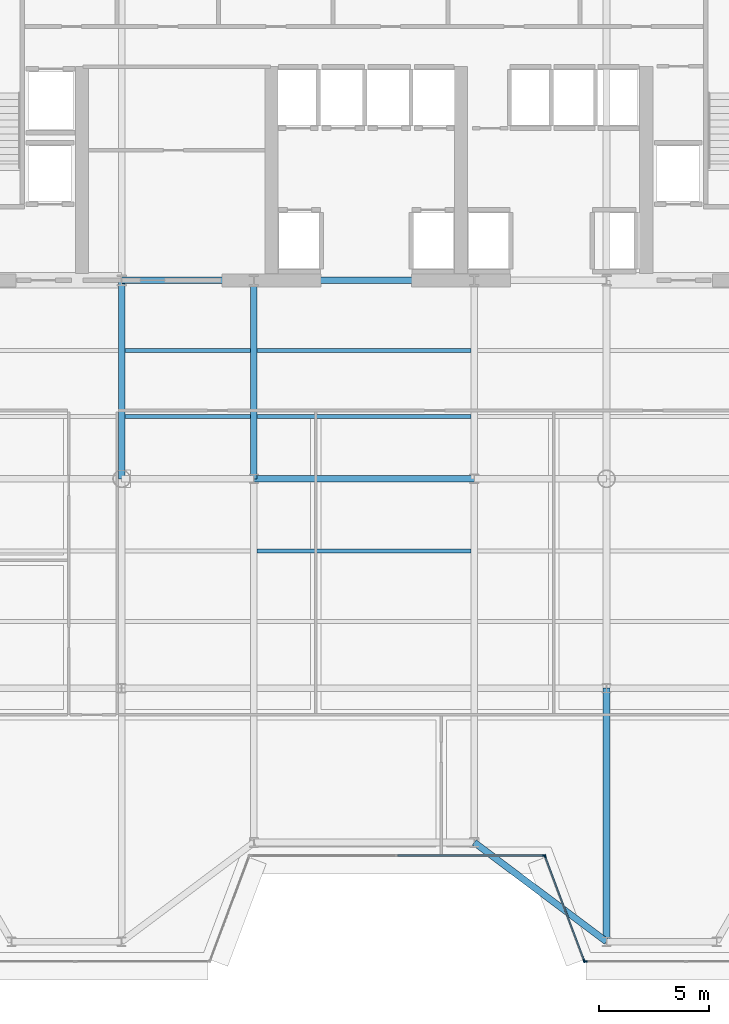
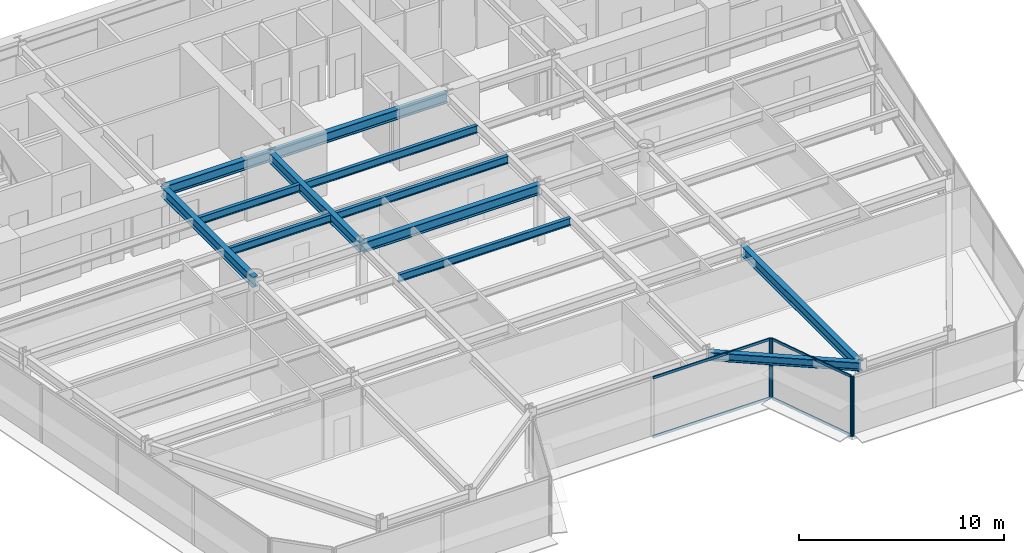
# One storey, part 5 of 16: 12 beams, 8 members, 3 elements without a shape of their own.
"""IFC4 building model written with IfcOpenShell, lengths in metres."""

from ifc_helpers import new_model, si_unit, direction, frame, origin, origin_2d, place, context, subcontext, project, spatial, rectangle, i_section, extrude, source, transform, mapped, material, layer, layer_set, material_profile, profile_set, type_object, element, aggregate, save


model = new_model("IFC4")

# Units and contexts
model_context = context("Model", 3, precision=1e-05, world=origin(), true_north=direction((0.0, 1.0)))
body_context = subcontext(model_context, "Body", "Model", "MODEL_VIEW")
ifc_project = project(units=[si_unit("LENGTHUNIT", "METRE"), si_unit("AREAUNIT", "SQUARE_METRE"), si_unit("VOLUMEUNIT", "CUBIC_METRE"), si_unit("PLANEANGLEUNIT", "RADIAN"), si_unit("MASSUNIT", "GRAM", prefix="KILO")], contexts=[model_context])

# Site, building, storey
site_placement = place(None, origin())
site = spatial("IfcSite", under=ifc_project, at=site_placement, CompositionType="ELEMENT")
building_placement = place(site_placement, origin())
building = spatial("IfcBuilding", under=site, at=building_placement, Name="Vaeldorn Concourse Tower", CompositionType="ELEMENT")
storey_placement = place(building_placement, frame((0.0, 0.0, 188.0)))
storey = spatial("IfcBuildingStorey", under=building, at=storey_placement, Name="L48", CompositionType="ELEMENT", Elevation=188.0)

# Beams
ifc_material_1 = material(Name="Steel S355", Category="steel")
ifc_material_profile_1 = material_profile(ifc_material_1, i_section(OverallWidth=0.300048828125, OverallDepth=0.5, WebThickness=0.014404296875, FlangeThickness=0.028076171875, FilletRadius=0.027099609375, at=origin_2d()), Name="HEB 500")
ifc_profile_set_1 = profile_set([ifc_material_profile_1], Name="Steel S355")
beam_type_1 = type_object("IfcBeamType", Name="BM-SP-HEB500", PredefinedType="SPANDREL", material=ifc_profile_set_1)
shared_shape_1 = source(origin(), body_context, "Body", "SweptSolid", [
    extrude(i_section(OverallWidth=0.300048828125, OverallDepth=0.5, WebThickness=0.014404296875, FlangeThickness=0.028076171875, FilletRadius=0.027099609375, at=origin_2d()), origin(), (0.0, 0.0, 1.0), 7.5),
])
beam_1_placement = place(storey_placement, frame((39.0, 11.0, 3.330078125), z_axis=(0.8, -0.6, 0.0), x_axis=(0.6, 0.8, 0.0)))
element("IfcBeam", 1, at=beam_1_placement, inside=storey, type_object=beam_type_1, Name="Beam BM-L48-C-SF4-C-SF5", PredefinedType="SPANDREL", context=body_context, shape_type="MappedRepresentation", body=[
    mapped(shared_shape_1, transform((0.0, 0.0, 0.0), scale=1.0)),
])
ifc_material_profile_2 = material_profile(ifc_material_1, i_section(OverallWidth=0.18994140625, OverallDepth=0.449951171875, WebThickness=0.009521484375, FlangeThickness=0.0146484375, FilletRadius=0.02099609375, at=origin_2d()), Name="IPE 450")
ifc_profile_set_2 = profile_set([ifc_material_profile_2], Name="Steel S355")
beam_type_2 = type_object("IfcBeamType", Name="BM-JS-IPE450", PredefinedType="JOIST", material=ifc_profile_set_2)
shared_shape_2 = source(origin(), body_context, "Body", "SweptSolid", [
    extrude(i_section(OverallWidth=0.18994140625, OverallDepth=0.449951171875, WebThickness=0.009521484375, FlangeThickness=0.0146484375, FilletRadius=0.02099609375, at=origin_2d()), origin(), (0.0, 0.0, 1.0), 5.7001953125),
])
for number, where, z_axis, x_axis, name in (
    (2, (23.14990234375, 30.320068359375, 3.35498046875), (1.0, 0.0, 0.0), (0.0, 1.0, 0.0), "Beam JS-L48-W2-303"),
    (3, (23.14990234375, 33.320068359375, 3.35498046875), (1.0, 0.0, 0.0), (0.0, 1.0, 0.0), "Beam JS-L48-W2-333"),
):
    element("IfcBeam", number, at=place(storey_placement, frame(where, z_axis=z_axis, x_axis=x_axis)), inside=storey, type_object=beam_type_2, Name=name, PredefinedType="JOIST", context=body_context, shape_type="MappedRepresentation", body=[
        mapped(shared_shape_2, transform((0.0, 0.0, 0.0), scale=1.0)),
    ])
shared_shape_3 = source(origin(), body_context, "Body", "SweptSolid", [
    extrude(i_section(OverallWidth=0.18994140625, OverallDepth=0.449951171875, WebThickness=0.009521484375, FlangeThickness=0.0146484375, FilletRadius=0.02099609375, at=origin_2d()), origin(), (0.0, 0.0, 1.0), 9.7001953125),
])
for number, where, z_axis, x_axis, name in (
    (4, (29.14990234375, 24.219970703125, 3.35498046875), (1.0, 0.0, 0.0), (0.0, 1.0, 0.0), "Beam JS-L48-C-242"),
    (5, (29.14990234375, 30.320068359375, 3.35498046875), (1.0, 0.0, 0.0), (0.0, 1.0, 0.0), "Beam JS-L48-C-303"),
    (6, (29.14990234375, 33.320068359375, 3.35498046875), (1.0, 0.0, 0.0), (0.0, 1.0, 0.0), "Beam JS-L48-C-333"),
):
    element("IfcBeam", number, at=place(storey_placement, frame(where, z_axis=z_axis, x_axis=x_axis)), inside=storey, type_object=beam_type_2, Name=name, PredefinedType="JOIST", context=body_context, shape_type="MappedRepresentation", body=[
        mapped(shared_shape_3, transform((0.0, 0.0, 0.0), scale=1.0)),
    ])
ifc_material_profile_3 = material_profile(ifc_material_1, i_section(OverallWidth=0.300048828125, OverallDepth=0.60009765625, WebThickness=0.015380859375, FlangeThickness=0.030029296875, FilletRadius=0.027099609375, at=origin_2d()), Name="HEB 600")
ifc_profile_set_3 = profile_set([ifc_material_profile_3], Name="Steel S355")
beam_type_3 = type_object("IfcBeamType", Name="BM-PG-HEB600", PredefinedType="BEAM", material=ifc_profile_set_3)
shared_shape_4 = source(origin(), body_context, "Body", "SweptSolid", [
    extrude(i_section(OverallWidth=0.300048828125, OverallDepth=0.60009765625, WebThickness=0.015380859375, FlangeThickness=0.030029296875, FilletRadius=0.027099609375, at=origin_2d()), origin(), (0.0, 0.0, 1.0), 6.0),
])
beam_2_placement = place(storey_placement, frame((23.0, 36.5, 3.280029296875), z_axis=(1.0, 0.0, 0.0), x_axis=(0.0, 1.0, 0.0)))
element("IfcBeam", 7, at=beam_2_placement, inside=storey, type_object=beam_type_3, Name="Beam BM-L48-C-FC2-C-FC3", PredefinedType="BEAM", context=body_context, shape_type="MappedRepresentation", body=[
    mapped(shared_shape_4, transform((0.0, 0.0, 0.0), scale=1.0)),
])
shared_shape_5 = source(origin(), body_context, "Body", "SweptSolid", [
    extrude(i_section(OverallWidth=0.300048828125, OverallDepth=0.60009765625, WebThickness=0.015380859375, FlangeThickness=0.030029296875, FilletRadius=0.027099609375, at=origin_2d()), origin(), (0.0, 0.0, 1.0), 10.0),
])
for number, where, z_axis, x_axis, name in (
    (8, (29.0, 36.5, 3.280029296875), (1.0, 0.0, 0.0), (0.0, 1.0, 0.0), "Beam BM-L48-C-FC3-C-FC4"),
    (9, (29.0, 27.5, 3.280029296875), (1.0, 0.0, 0.0), (0.0, 1.0, 0.0), "Beam BM-L48-C-TW2-C-TW3"),
):
    element("IfcBeam", number, at=place(storey_placement, frame(where, z_axis=z_axis, x_axis=x_axis)), inside=storey, type_object=beam_type_3, Name=name, PredefinedType="BEAM", context=body_context, shape_type="MappedRepresentation", body=[
        mapped(shared_shape_5, transform((0.0, 0.0, 0.0), scale=1.0)),
    ])
shared_shape_6 = source(origin(), body_context, "Body", "SweptSolid", [
    extrude(i_section(OverallWidth=0.300048828125, OverallDepth=0.60009765625, WebThickness=0.015380859375, FlangeThickness=0.030029296875, FilletRadius=0.027099609375, at=origin_2d()), origin(), (0.0, 0.0, 1.0), 9.0),
])
for number, where, z_axis, x_axis, name in (
    (10, (23.0, 27.5, 3.280029296875), (0.0, 1.0, 0.0), (-1.0, 0.0, 0.0), "Beam BM-L48-C-TW1-C-FC2"),
    (11, (29.0, 27.5, 3.280029296875), (0.0, 1.0, 0.0), (-1.0, 0.0, 0.0), "Beam BM-L48-C-TW2-C-FC3"),
):
    element("IfcBeam", number, at=place(storey_placement, frame(where, z_axis=z_axis, x_axis=x_axis)), inside=storey, type_object=beam_type_3, Name=name, PredefinedType="BEAM", context=body_context, shape_type="MappedRepresentation", body=[
        mapped(shared_shape_6, transform((0.0, 0.0, 0.0), scale=1.0)),
    ])
shared_shape_7 = source(origin(), body_context, "Body", "SweptSolid", [
    extrude(i_section(OverallWidth=0.300048828125, OverallDepth=0.60009765625, WebThickness=0.015380859375, FlangeThickness=0.030029296875, FilletRadius=0.027099609375, at=origin_2d()), origin(), (0.0, 0.0, 1.0), 11.5),
])
beam_3_placement = place(storey_placement, frame((45.0, 6.5, 3.280029296875), z_axis=(0.0, 1.0, 0.0), x_axis=(-1.0, 0.0, 0.0)))
element("IfcBeam", 12, at=beam_3_placement, inside=storey, type_object=beam_type_3, Name="Beam BM-L48-C-SF5-C-TW6", PredefinedType="BEAM", context=body_context, shape_type="MappedRepresentation", body=[
    mapped(shared_shape_7, transform((0.0, 0.0, 0.0), scale=1.0)),
])

# Curtain wall, members
ifc_material_2 = material(Name="Anodised Bronze Aluminium", Category="aluminium")
ifc_layer = layer(ifc_material_2, 0.18994140625)
ifc_layer_set = layer_set([ifc_layer], Name="Anodised Bronze Aluminium")
curtain_wall_type = type_object("IfcCurtainWallType", Name="CW-SYS-03", PredefinedType="NOTDEFINED", material=ifc_layer_set)
curtain_wall_1_placement = place(storey_placement, origin())
curtain_wall_1 = element("IfcCurtainWall", 13, at=curtain_wall_1_placement, inside=storey, type_object=curtain_wall_type, Name="Unitised Curtain Wall CW-L48-E04-1", PredefinedType="NOTDEFINED")
ifc_material_profile_4 = material_profile(ifc_material_2, rectangle(XDim=0.06494140625, YDim=0.14990234375, at=origin_2d()), Name="CWT 65x150")
ifc_profile_set_4 = profile_set([ifc_material_profile_4], Name="Anodised Bronze Aluminium")
member_type_1 = type_object("IfcMemberType", Name="CWT-BRONZE-150", PredefinedType="USERDEFINED", material=ifc_profile_set_4)
shared_shape_8 = source(origin(), body_context, "Body", "SweptSolid", [
    extrude(rectangle(XDim=0.06494140625, YDim=0.14990234375, at=origin_2d()), origin(), (0.0, 0.0, 1.0), 4.996337890625),
])
member_1_placement = place(storey_placement, frame((42.222900390625, 10.339111328125, 0.032470703125), z_axis=(0.351134151405, -0.936325161318, 0.0), x_axis=(0.936325161318, 0.351134151405, 0.0)))
member_1 = element("IfcMember", 14, at=member_1_placement, type_object=member_type_1, Name="CW-03 transom 1.1", ObjectType="TRANSOM", PredefinedType="USERDEFINED", context=body_context, shape_type="MappedRepresentation", body=[
    mapped(shared_shape_8, transform((0.0, 0.0, 0.0), scale=1.0)),
])
member_2_placement = place(storey_placement, frame((42.222900390625, 10.339111328125, 3.547607421875), z_axis=(0.351134151405, -0.936325161318, 0.0), x_axis=(0.936325161318, 0.351134151405, 0.0)))
member_2 = element("IfcMember", 15, at=member_2_placement, type_object=member_type_1, Name="CW-03 transom 1.2", ObjectType="TRANSOM", PredefinedType="USERDEFINED", context=body_context, shape_type="MappedRepresentation", body=[
    mapped(shared_shape_8, transform((0.0, 0.0, 0.0), scale=1.0)),
])

curtain_wall_2_placement = place(storey_placement, origin())
curtain_wall_2 = element("IfcCurtainWall", 16, at=curtain_wall_2_placement, inside=storey, type_object=curtain_wall_type, Name="Unitised Curtain Wall CW-L48-E03-1", PredefinedType="NOTDEFINED")
shared_shape_9 = source(origin(), body_context, "Body", "SweptSolid", [
    extrude(rectangle(XDim=0.06494140625, YDim=0.14990234375, at=origin_2d()), origin(), (0.0, 0.0, 1.0), 6.6025390625),
])
member_3_placement = place(storey_placement, frame((35.532470703125, 10.39990234375, 0.032470703125), z_axis=(1.0, 0.0, 0.0), x_axis=(0.0, 1.0, 0.0)))
member_3 = element("IfcMember", 17, at=member_3_placement, type_object=member_type_1, Name="CW-03 transom 2.1", ObjectType="TRANSOM", PredefinedType="USERDEFINED", context=body_context, shape_type="MappedRepresentation", body=[
    mapped(shared_shape_9, transform((0.0, 0.0, 0.0), scale=1.0)),
])
member_4_placement = place(storey_placement, frame((35.532470703125, 10.39990234375, 3.547607421875), z_axis=(1.0, 0.0, 0.0), x_axis=(0.0, 1.0, 0.0)))
member_4 = element("IfcMember", 18, at=member_4_placement, type_object=member_type_1, Name="CW-03 transom 2.2", ObjectType="TRANSOM", PredefinedType="USERDEFINED", context=body_context, shape_type="MappedRepresentation", body=[
    mapped(shared_shape_9, transform((0.0, 0.0, 0.0), scale=1.0)),
])
ifc_material_profile_5 = material_profile(ifc_material_2, rectangle(XDim=0.06494140625, YDim=0.169921875, at=origin_2d()), Name="CWM 65x170")
ifc_profile_set_5 = profile_set([ifc_material_profile_5], Name="Anodised Bronze Aluminium")
member_type_2 = type_object("IfcMemberType", Name="CWM-BRONZE-170", PredefinedType="MULLION", material=ifc_profile_set_5)
shared_shape_10 = source(origin(), body_context, "Body", "SweptSolid", [
    extrude(rectangle(XDim=0.06494140625, YDim=0.169921875, at=origin_2d()), origin(), (0.0, 0.0, 1.0), 3.580078125),
])
member_5_placement = place(storey_placement, frame((42.16748046875, 10.39990234375, 0.0), z_axis=(0.0, 0.0, 1.0), x_axis=(0.0, 1.0, 0.0)))
member_5 = element("IfcMember", 19, at=member_5_placement, type_object=member_type_2, Name="CW-03 mullion 3", PredefinedType="MULLION", context=body_context, shape_type="MappedRepresentation", body=[
    mapped(shared_shape_10, transform((0.0, 0.0, 0.0), scale=1.0)),
])
aggregate(curtain_wall_2, [member_5, member_3, member_4])

# Member
member_6_placement = place(storey_placement, frame((42.21142578125, 10.36962890625, 0.0), z_axis=(0.0, 0.0, 1.0), x_axis=(0.936329177566, 0.351123441595, 0.0)))
member_6 = element("IfcMember", 20, at=member_6_placement, type_object=member_type_2, Name="CW-03 mullion 1", PredefinedType="MULLION", context=body_context, shape_type="MappedRepresentation", body=[
    mapped(shared_shape_10, transform((0.0, 0.0, 0.0), scale=1.0)),
])

member_7_placement = place(storey_placement, frame((43.988525390625, 5.63037109375, 0.0), z_axis=(0.0, 0.0, 1.0), x_axis=(0.936329177566, 0.351123441595, 0.0)))
member_7 = element("IfcMember", 21, at=member_7_placement, type_object=member_type_2, Name="CW-03 mullion 2", PredefinedType="MULLION", context=body_context, shape_type="MappedRepresentation", body=[
    mapped(shared_shape_10, transform((0.0, 0.0, 0.0), scale=1.0)),
])

aggregate(curtain_wall_1, [member_6, member_7, member_1, member_2])

# Curtain wall, member
curtain_wall_3_placement = place(storey_placement, origin())
curtain_wall_3 = element("IfcCurtainWall", 22, at=curtain_wall_3_placement, inside=storey, type_object=curtain_wall_type, Name="Unitised Curtain Wall CW-L48-E05-1", PredefinedType="NOTDEFINED")
member_8_placement = place(storey_placement, frame((44.032470703125, 5.60009765625, 0.0), z_axis=(0.0, 0.0, 1.0), x_axis=(0.0, 1.0, 0.0)))
member_8 = element("IfcMember", 23, at=member_8_placement, type_object=member_type_2, Name="CW-03 mullion 1", PredefinedType="MULLION", context=body_context, shape_type="MappedRepresentation", body=[
    mapped(shared_shape_10, transform((0.0, 0.0, 0.0), scale=1.0)),
])
aggregate(curtain_wall_3, [member_8])

save(model, "model.ifc")
